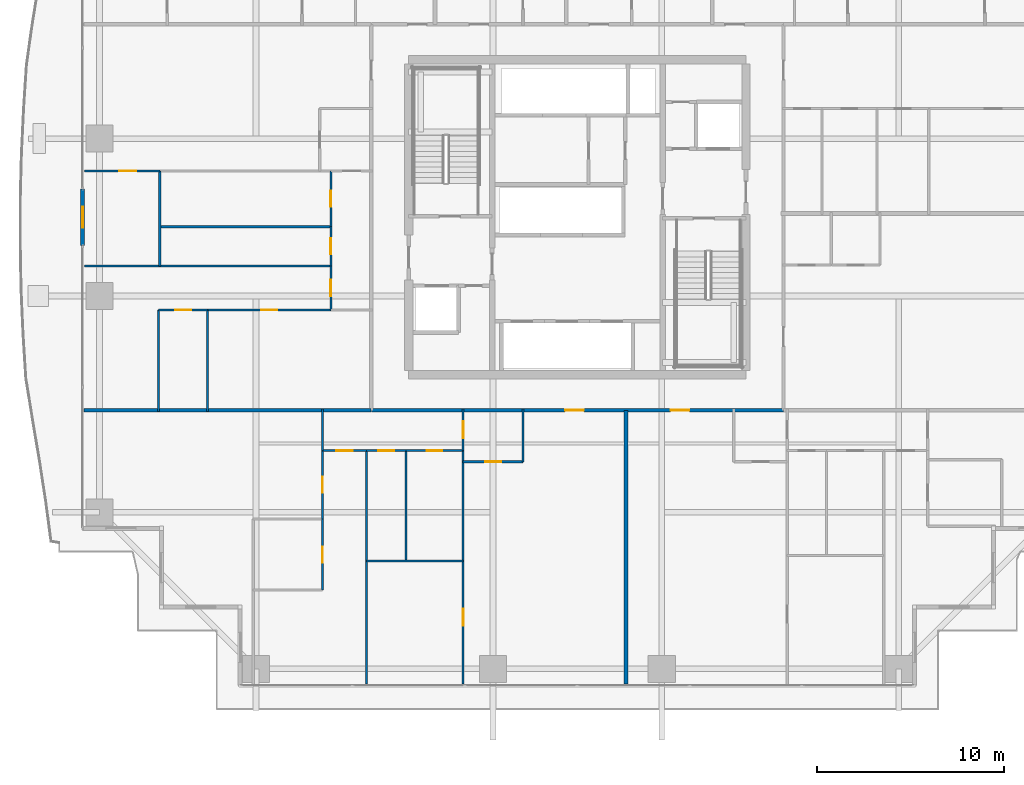
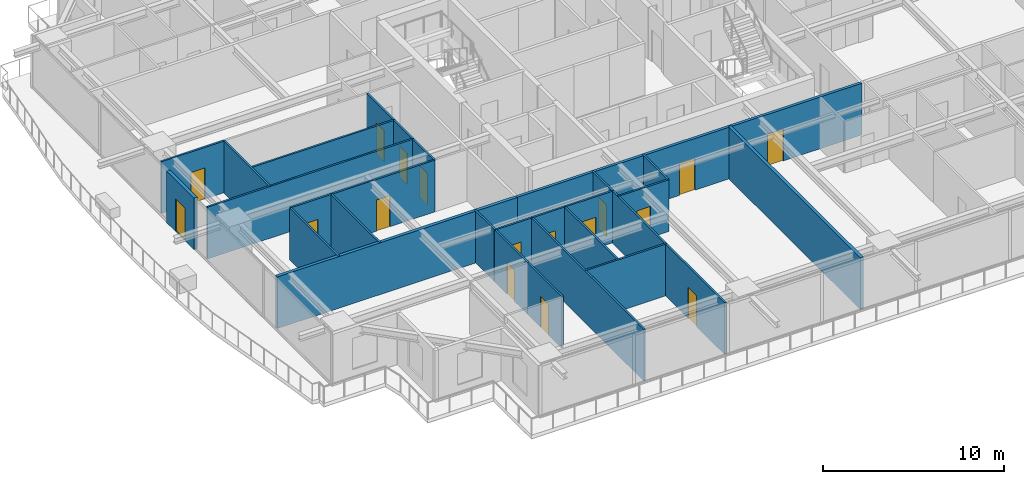
# One storey, part 22 of 34: 29 walls, 17 doors, 17 openings.
"""IFC4 building model written with IfcOpenShell, lengths in metres."""

import ifcopenshell
import ifcopenshell.guid

model = None  # the IFC model being written
_history = None  # IfcOwnerHistory: only IFC2X3 demands one
_inside = {}  # id of a spatial element -> (the spatial element, [elements in it])
_under = {}  # id of a project, library or spatial element -> (it, [spatial elements below it])
_declared = {}  # id of a project -> (the project, [libraries it declares])
_typed = {}  # id of a type object -> (the type object, [elements of that type])
_made_of = {}  # id of a material, layer set ... -> (it, [elements and type objects made of it])


def new_model(schema):
    """Start an empty IFC model of exactly this schema.

    Asked for "IFC4X3", IfcOpenShell would pick the latest addendum, in which some entities
    have other attributes; the version numbers below select the first issue.
    IFC2X3 requires an IfcOwnerHistory on every rooted entity: one is made here for all.
    """
    global model, _history
    if schema == "IFC4X3":
        model = ifcopenshell.file(schema_version=(4, 3, 0, 0))
    else:
        model = ifcopenshell.file(schema=schema)
    _inside.clear()
    _under.clear()
    _declared.clear()
    _typed.clear()
    _made_of.clear()
    _history = None
    if model.schema == "IFC2X3":
        org = make("IfcOrganization", Name="unknown")
        user = make(
            "IfcPersonAndOrganization",
            ThePerson=make("IfcPerson", FamilyName="unknown"),
            TheOrganization=org,
        )
        app = make(
            "IfcApplication",
            ApplicationDeveloper=org,
            Version="unknown",
            ApplicationFullName="unknown",
            ApplicationIdentifier="unknown",
        )
        _history = make(
            "IfcOwnerHistory",
            OwningUser=user,
            OwningApplication=app,
            ChangeAction="ADDED",
            CreationDate=0,
        )
    return model


def make(cls, **values):
    """One entity of the class cls with the attributes given. An attribute that is None is left unset."""
    return model.create_entity(
        cls, **{name: value for name, value in values.items() if value is not None}
    )


def rooted(cls, **values):
    """An entity with a GlobalId (a new one), such as an element, a storey or a relation."""
    return make(cls, GlobalId=ifcopenshell.guid.new(), OwnerHistory=_history, **values)


def si_unit(unit_type, name, prefix=None):
    """IfcSIUnit, for example si_unit("LENGTHUNIT", "METRE", prefix="MILLI")."""
    return make("IfcSIUnit", UnitType=unit_type, Prefix=prefix, Name=name)


def assignment(units):
    """IfcUnitAssignment: the units of a project."""
    return None if units is None else make("IfcUnitAssignment", Units=units)


def point(xyz):
    """IfcCartesianPoint."""
    return None if xyz is None else make("IfcCartesianPoint", Coordinates=xyz)


def direction(xyz):
    """IfcDirection."""
    return None if xyz is None else make("IfcDirection", DirectionRatios=xyz)


def frame(location, z_axis=None, x_axis=None):
    """IfcAxis2Placement3D, a coordinate frame: its origin and axes. An axis left out is left unset."""
    return make(
        "IfcAxis2Placement3D",
        Location=point(location),
        Axis=direction(z_axis),
        RefDirection=direction(x_axis),
    )


def frame_2d(location, x_axis=None):
    """IfcAxis2Placement2D, a coordinate frame in the plane: its origin and x axis."""
    return make(
        "IfcAxis2Placement2D", Location=point(location), RefDirection=direction(x_axis)
    )


def origin():
    """The frame at (0, 0, 0) with its axes left unset."""
    return frame((0.0, 0.0, 0.0))


def place(relative_to, where):
    """IfcLocalPlacement: puts the frame where relative to a parent placement (None: the world)."""
    return make(
        "IfcLocalPlacement", PlacementRelTo=relative_to, RelativePlacement=where
    )


def context(
    kind, dimensions, precision=None, world=None, true_north=None, identifier=None
):
    """IfcGeometricRepresentationContext, for example the 3D "Model" context."""
    return make(
        "IfcGeometricRepresentationContext",
        ContextIdentifier=identifier,
        ContextType=kind,
        CoordinateSpaceDimension=dimensions,
        Precision=precision,
        WorldCoordinateSystem=world,
        TrueNorth=true_north,
    )


def subcontext(parent, identifier, kind, view, scale=None):
    """IfcGeometricRepresentationSubContext, for example "Body" below "Model"."""
    return make(
        "IfcGeometricRepresentationSubContext",
        ContextIdentifier=identifier,
        ContextType=kind,
        ParentContext=parent,
        TargetScale=scale,
        TargetView=view,
    )


def project(units=None, contexts=None):
    """IfcProject with its units and contexts."""
    return rooted(
        "IfcProject",
        Name="project",
        RepresentationContexts=contexts,
        UnitsInContext=assignment(units),
    )


def spatial(cls, under=None, at=None, **own):
    """A site, building, storey or space (cls), placed at a placement, below another one or the project."""
    s = rooted(cls, ObjectPlacement=at, **own)
    if under is not None:
        _under.setdefault(under.id(), (under, []))[1].append(s)
    return s


def profile(cls, at=None, kind="AREA", **sizes):
    """A parametric profile (cls). Its sizes go by their IFC names, for example OverallWidth=200.0."""
    return make(cls, ProfileType=kind, Position=at, **sizes)


def rectangle(**sizes):
    """IfcRectangleProfileDef."""
    return profile("IfcRectangleProfileDef", **sizes)


def extrude(swept, where, along, depth):
    """IfcExtrudedAreaSolid: the profile swept, set in the frame where, extruded along a direction by depth."""
    return make(
        "IfcExtrudedAreaSolid",
        SweptArea=swept,
        Position=where,
        ExtrudedDirection=direction(along),
        Depth=depth,
    )


def shape(context_of_items, identifier, shape_type, items):
    """IfcShapeRepresentation: the items that make up one representation, for example the "Body"."""
    return make(
        "IfcShapeRepresentation",
        ContextOfItems=context_of_items,
        RepresentationIdentifier=identifier,
        RepresentationType=shape_type,
        Items=items,
    )


def source(mapping_origin, context_of_items, identifier, shape_type, items):
    """IfcRepresentationMap: a shape defined once, which mapped items show again and again."""
    return make(
        "IfcRepresentationMap",
        MappingOrigin=mapping_origin,
        MappedRepresentation=shape(context_of_items, identifier, shape_type, items),
    )


def transform(
    local_origin,
    x_axis=None,
    y_axis=None,
    z_axis=None,
    scale=None,
    scale2=None,
    scale3=None,
    uniform=True,
):
    """IfcCartesianTransformationOperator3D, or its non-uniform kind. x_axis, y_axis, z_axis: its Axis1, 2, 3."""
    if uniform:
        return make(
            "IfcCartesianTransformationOperator3D",
            Axis1=direction(x_axis),
            Axis2=direction(y_axis),
            LocalOrigin=point(local_origin),
            Scale=scale,
            Axis3=direction(z_axis),
        )
    return make(
        "IfcCartesianTransformationOperator3DnonUniform",
        Axis1=direction(x_axis),
        Axis2=direction(y_axis),
        LocalOrigin=point(local_origin),
        Scale=scale,
        Axis3=direction(z_axis),
        Scale2=scale2,
        Scale3=scale3,
    )


def mapped(mapping_source, mapping_target):
    """IfcMappedItem: shows the shape of a source again, moved by a transform."""
    return make(
        "IfcMappedItem", MappingSource=mapping_source, MappingTarget=mapping_target
    )


def material(Name=None, Category=None):
    """IfcMaterial."""
    return make("IfcMaterial", Name=Name, Category=Category)


def layer(
    of_material, thickness, ventilated=None, Name=None, Category=None, Priority=None
):
    """IfcMaterialLayer: one layer of a wall or slab, of a material (None: an air gap)."""
    return make(
        "IfcMaterialLayer",
        Material=of_material,
        LayerThickness=thickness,
        IsVentilated=ventilated,
        Name=Name,
        Category=Category,
        Priority=Priority,
    )


def layer_set(layers, Name=None):
    """IfcMaterialLayerSet."""
    return make("IfcMaterialLayerSet", MaterialLayers=layers, LayerSetName=Name)


def made_of(thing, what):
    """Note that an element or type object is made of a material, layer set ...; save() writes the relation."""
    if what is not None:
        _made_of.setdefault(what.id(), (what, []))[1].append(thing)
    return thing


def type_object(cls, material=None, **own):
    """A type object (cls), such as IfcWallType, which elements share."""
    return made_of(rooted(cls, **own), material)


def element(
    cls,
    number,
    at=None,
    inside=None,
    cuts=None,
    type_object=None,
    material=None,
    context=None,
    identifier="Body",
    shape_type=None,
    held_by="IfcProductDefinitionShape",
    body=None,
    shapes=None,
    **own,
):
    """One element of the class cls, such as IfcWall. Its Tag is "e" and its number.

    at: its placement. inside: the storey or other place that contains it. cuts: it is an
    opening in that element (IfcRelVoidsElement). A single representation is given by context,
    identifier, shape_type and body (its items); several are given by shapes. held_by: the class
    of the entity that holds the representations. save() writes the other relations.
    """
    e = rooted(cls, Tag="e%d" % number, ObjectPlacement=at, **own)
    if body is not None:
        shapes = [shape(context, identifier, shape_type, body)]
    if shapes is not None:
        e.Representation = make(held_by, Representations=shapes)
    if inside is not None:
        _inside.setdefault(inside.id(), (inside, []))[1].append(e)
    if cuts is not None:
        rooted(
            "IfcRelVoidsElement", RelatingBuildingElement=cuts, RelatedOpeningElement=e
        )
    if type_object is not None:
        _typed.setdefault(type_object.id(), (type_object, []))[1].append(e)
    return made_of(e, material)


def fill(opening, filler):
    """IfcRelFillsElement: the door or window that sits in an opening."""
    return rooted(
        "IfcRelFillsElement",
        RelatingOpeningElement=opening,
        RelatedBuildingElement=filler,
    )


def aggregate(whole, parts):
    """IfcRelAggregates: a whole, such as a stair, and the parts it consists of."""
    return rooted("IfcRelAggregates", RelatingObject=whole, RelatedObjects=parts)


def save(model, path):
    """Write the relations noted so far, then the file.

    IfcRelAggregates (storeys below a building ...), IfcRelContainedInSpatialStructure (elements
    in a storey), IfcRelDefinesByType, IfcRelAssociatesMaterial and IfcRelDeclares: one each for
    every whole, place, type object, material and project.
    """
    for whole, parts in _under.values():
        aggregate(whole, parts)
    for where, things in _inside.values():
        rooted(
            "IfcRelContainedInSpatialStructure",
            RelatedElements=things,
            RelatingStructure=where,
        )
    for kind, things in _typed.values():
        rooted("IfcRelDefinesByType", RelatedObjects=things, RelatingType=kind)
    for what, things in _made_of.values():
        rooted("IfcRelAssociatesMaterial", RelatedObjects=things, RelatingMaterial=what)
    for by, libraries in _declared.values():
        rooted("IfcRelDeclares", RelatingContext=by, RelatedDefinitions=libraries)
    model.write(path)


model = new_model("IFC4")

# Units and contexts
model_context = context("Model", 3, precision=1e-05, world=origin(), true_north=direction((0.0, 1.0)))
body_context = subcontext(model_context, "Body", "Model", "MODEL_VIEW")
ifc_project = project(units=[si_unit("LENGTHUNIT", "METRE"), si_unit("AREAUNIT", "SQUARE_METRE"), si_unit("VOLUMEUNIT", "CUBIC_METRE"), si_unit("PLANEANGLEUNIT", "RADIAN"), si_unit("MASSUNIT", "GRAM", prefix="KILO")], contexts=[model_context])

# Site, building, storey
site_placement = place(None, origin())
site = spatial("IfcSite", under=ifc_project, at=site_placement, CompositionType="ELEMENT")
building_placement = place(site_placement, origin())
building = spatial("IfcBuilding", under=site, at=building_placement, Name="Serunith Strait Residences", CompositionType="ELEMENT")
storey_placement = place(building_placement, frame((0.0, 0.0, 101.699951171875)))
storey = spatial("IfcBuildingStorey", under=building, at=storey_placement, Name="L25", CompositionType="ELEMENT", Elevation=101.699951171875)

# Wall, opening, door
ifc_material_1 = material(Name="Pale-Champagne Aluminium Insulated Panel", Category="aluminium")
ifc_layer_1 = layer(ifc_material_1, 0.219970703125, Name="Pale-Champagne Aluminium Insulated Panel")
ifc_layer_set_1 = layer_set([ifc_layer_1], Name="Pale-Champagne Aluminium Insulated Panel")
wall_type_1 = type_object("IfcWallType", Name="EW-ALUM-220", PredefinedType="ELEMENTEDWALL", material=ifc_layer_set_1)
wall_1_placement = place(storey_placement, frame((6.0, 26.699951171875, 0.0), z_axis=(0.0, 0.0, 1.0), x_axis=(0.0, -1.0, 0.0)))
wall_1 = element("IfcWall", 1, at=wall_1_placement, inside=storey, type_object=wall_type_1, Name="L25 W Facade Pier Wall", PredefinedType="ELEMENTEDWALL", context=body_context, shape_type="SweptSolid", body=[
    extrude(rectangle(XDim=3.0, YDim=0.219970703125, at=frame_2d((1.5, 0.0))), origin(), (0.0, 0.0, 1.0), 3.47509765625),
])
opening_1_placement = place(wall_1_placement, frame((0.949951171875, 0.0, 0.0)))
opening_1 = element("IfcOpeningElement", 2, at=opening_1_placement, cuts=wall_1, Name="Opening ED-03", PredefinedType="OPENING", context=body_context, shape_type="SweptSolid", body=[
    extrude(rectangle(XDim=1.10009765625, YDim=2.199951171875, at=frame_2d((0.550048828125, 1.10009765625))), frame((0.0, 0.1201171875, 0.0), z_axis=(0.0, -1.0, 0.0), x_axis=(1.0, 0.0, 0.0)), (0.0, 0.0, 1.0), 0.239990234375),
])
ifc_material_2 = material(Name="Thermally-Broken Aluminium Glazed Balcony Door", Category="aluminium")
door_type_1 = type_object("IfcDoorType", Name="ED-BALC-1100", OperationType="NOTDEFINED", PredefinedType="DOOR", material=ifc_material_2)
shared_shape_1 = source(origin(), body_context, "Body", "SweptSolid", [
    extrude(rectangle(XDim=1.10009765625, YDim=2.199951171875, at=frame_2d((0.550048828125, 1.10009765625))), frame((0.0, 0.02490234375, 0.0), z_axis=(0.0, -1.0, 0.0), x_axis=(1.0, 0.0, 0.0)), (0.0, 0.0, 1.0), 0.050048828125),
])
door_1_placement = place(opening_1_placement, origin())
door_1 = element("IfcDoor", 3, at=door_1_placement, inside=storey, type_object=door_type_1, Name="L25 W Vertical-Forest Balcony Door", OperationType="SINGLE_SWING_LEFT", OverallHeight=2.199951171875, OverallWidth=1.10009765625, PredefinedType="DOOR", context=body_context, shape_type="MappedRepresentation", body=[
    mapped(shared_shape_1, transform((0.0, 0.0, 0.0), scale=1.0)),
])
fill(opening_1, door_1)

# Wall, openings, doors
ifc_material_3 = material(Name="Fire-rated acoustic gypsum partition")
ifc_layer_2 = layer(ifc_material_3, 0.179931640625, Name="Fire-rated acoustic gypsum partition")
ifc_layer_set_2 = layer_set([ifc_layer_2], Name="Fire-rated acoustic gypsum partition")
wall_type_2 = type_object("IfcWallType", Name="IW-CORR-180", PredefinedType="PARTITIONING", material=ifc_layer_set_2)
wall_2_placement = place(storey_placement, frame((21.402099609375, 14.89990234375, 0.0), z_axis=(0.0, 0.0, 1.0), x_axis=(1.0, 0.0, 0.0)))
wall_2 = element("IfcWall", 4, at=wall_2_placement, inside=storey, type_object=wall_type_2, Name="L25 Partition Wall 024", PredefinedType="PARTITIONING", context=body_context, shape_type="SweptSolid", body=[
    extrude(rectangle(XDim=21.995849609375, YDim=0.179931640625, at=frame_2d((10.998046875, 0.0))), origin(), (0.0, 0.0, 1.0), 3.489990234375),
])
opening_2_placement = place(wall_2_placement, frame((10.35107421875, 0.0, 0.0)))
opening_2 = element("IfcOpeningElement", 5, at=opening_2_placement, cuts=wall_2, Name="Opening D-APT1000", PredefinedType="OPENING", context=body_context, shape_type="SweptSolid", body=[
    extrude(rectangle(XDim=1.0, YDim=2.14990234375, at=frame_2d((0.5, 1.074951171875))), frame((0.0, 0.10009765625, 0.0), z_axis=(0.0, -1.0, 0.0), x_axis=(1.0, 0.0, 0.0)), (0.0, 0.0, 1.0), 0.199951171875),
])
opening_3_placement = place(wall_2_placement, frame((15.97802734375, 0.0, 0.0)))
opening_3 = element("IfcOpeningElement", 6, at=opening_3_placement, cuts=wall_2, Name="Opening D-APT1000", PredefinedType="OPENING", context=body_context, shape_type="SweptSolid", body=[
    extrude(rectangle(XDim=1.0, YDim=2.14990234375, at=frame_2d((0.5, 1.074951171875))), frame((0.0, 0.10009765625, 0.0), z_axis=(0.0, -1.0, 0.0), x_axis=(1.0, 0.0, 0.0)), (0.0, 0.0, 1.0), 0.199951171875),
])
ifc_material_4 = material(Name="Solid timber engineered fire door", Category="wood")
door_type_2 = type_object("IfcDoorType", Name="ID-APT-1000", OperationType="NOTDEFINED", PredefinedType="DOOR", material=ifc_material_4)
shared_shape_2 = source(origin(), body_context, "Body", "SweptSolid", [
    extrude(rectangle(XDim=1.0, YDim=2.14990234375, at=frame_2d((0.5, 1.074951171875))), frame((0.0, 0.02490234375, 0.0), z_axis=(0.0, -1.0, 0.0), x_axis=(1.0, 0.0, 0.0)), (0.0, 0.0, 1.0), 0.050048828125),
])
door_2_placement = place(opening_2_placement, origin())
door_2 = element("IfcDoor", 7, at=door_2_placement, inside=storey, type_object=door_type_2, Name="L25 Unit 01 Entrance Door", OperationType="SINGLE_SWING_LEFT", OverallHeight=2.14990234375, OverallWidth=1.0, PredefinedType="DOOR", context=body_context, shape_type="MappedRepresentation", body=[
    mapped(shared_shape_2, transform((0.0, 0.0, 0.0), scale=1.0)),
])
fill(opening_2, door_2)
door_3_placement = place(opening_3_placement, origin())
door_3 = element("IfcDoor", 8, at=door_3_placement, inside=storey, type_object=door_type_2, Name="L25 Unit 02 Entrance Door", OperationType="SINGLE_SWING_RIGHT", OverallHeight=2.14990234375, OverallWidth=1.0, PredefinedType="DOOR", context=body_context, shape_type="MappedRepresentation", body=[
    mapped(shared_shape_2, transform((0.0, 0.0, 0.0), scale=1.0)),
])
fill(opening_3, door_3)

# Wall, opening, door
ifc_material_5 = material(Name="Lightweight steel-stud gypsum partition", Category="steel")
ifc_layer_3 = layer(ifc_material_5, 0.1201171875, Name="Lightweight steel-stud gypsum partition")
ifc_layer_set_3 = layer_set([ifc_layer_3], Name="Lightweight steel-stud gypsum partition")
wall_type_3 = type_object("IfcWallType", Name="IW-PART-120", PredefinedType="PARTITIONING", material=ifc_layer_set_3)
wall_3_placement = place(storey_placement, frame((26.300048828125, 12.14990234375, 0.0), z_axis=(0.0, 0.0, 1.0), x_axis=(1.0, 0.0, 0.0)))
wall_3 = element("IfcWall", 9, at=wall_3_placement, inside=storey, type_object=wall_type_3, Name="L25 Partition Wall 028", PredefinedType="PARTITIONING", context=body_context, shape_type="SweptSolid", body=[
    extrude(rectangle(XDim=3.199951171875, YDim=0.1201171875, at=frame_2d((1.60009765625, 0.0))), origin(), (0.0, 0.0, 1.0), 3.489990234375),
])
opening_4_placement = place(wall_3_placement, frame((1.175048828125, 0.0, 0.0)))
opening_4 = element("IfcOpeningElement", 10, at=opening_4_placement, cuts=wall_3, Name="Opening D-RM850", PredefinedType="OPENING", context=body_context, shape_type="SweptSolid", body=[
    extrude(rectangle(XDim=0.85009765625, YDim=2.10009765625, at=frame_2d((0.425048828125, 1.050048828125))), frame((0.0, 0.070068359375, 0.0), z_axis=(0.0, -1.0, 0.0), x_axis=(1.0, 0.0, 0.0)), (0.0, 0.0, 1.0), 0.14013671875),
])
ifc_material_6 = material(Name="Engineered timber flush study and kitchen door", Category="wood")
door_type_3 = type_object("IfcDoorType", Name="ID-ROOM-850", OperationType="NOTDEFINED", PredefinedType="DOOR", material=ifc_material_6)
shared_shape_3 = source(origin(), body_context, "Body", "SweptSolid", [
    extrude(rectangle(XDim=0.85009765625, YDim=2.10009765625, at=frame_2d((0.425048828125, 1.050048828125))), frame((0.0, 0.02490234375, 0.0), z_axis=(0.0, -1.0, 0.0), x_axis=(1.0, 0.0, 0.0)), (0.0, 0.0, 1.0), 0.050048828125),
])
door_4_placement = place(opening_4_placement, origin())
door_4 = element("IfcDoor", 11, at=door_4_placement, inside=storey, type_object=door_type_3, Name="L25 Kitchen 2501 Door", OperationType="SINGLE_SWING_RIGHT", OverallHeight=2.10009765625, OverallWidth=0.85009765625, PredefinedType="DOOR", context=body_context, shape_type="MappedRepresentation", body=[
    mapped(shared_shape_3, transform((0.0, 0.0, 0.0), scale=1.0)),
])
fill(opening_4, door_4)

# Wall
wall_4_placement = place(storey_placement, frame((29.5, 12.14990234375, 0.0), z_axis=(0.0, 0.0, 1.0), x_axis=(0.0, 1.0, 0.0)))
element("IfcWall", 12, at=wall_4_placement, inside=storey, type_object=wall_type_3, Name="L25 Partition Wall 029", PredefinedType="PARTITIONING", context=body_context, shape_type="SweptSolid", body=[
    extrude(rectangle(XDim=2.81005859375, YDim=0.1201171875, at=frame_2d((1.405029296875, 0.0))), origin(), (0.0, 0.0, 1.0), 3.489990234375),
])

# Wall, opening, door
wall_5_placement = place(storey_placement, frame((26.300048828125, 12.75, 0.0), z_axis=(0.0, 0.0, 1.0), x_axis=(0.0, 1.0, 0.0)))
wall_5 = element("IfcWall", 13, at=wall_5_placement, inside=storey, type_object=wall_type_3, Name="L25 Partition Wall 030", PredefinedType="PARTITIONING", context=body_context, shape_type="SweptSolid", body=[
    extrude(rectangle(XDim=2.2099609375, YDim=0.1201171875, at=frame_2d((1.10498046875, 0.0))), origin(), (0.0, 0.0, 1.0), 3.489990234375),
])
opening_5_placement = place(wall_5_placement, frame((0.655029296875, 0.0, 0.0)))
opening_5 = element("IfcOpeningElement", 14, at=opening_5_placement, cuts=wall_5, Name="Opening D-RM900", PredefinedType="OPENING", context=body_context, shape_type="SweptSolid", body=[
    extrude(rectangle(XDim=0.89990234375, YDim=2.10009765625, at=frame_2d((0.449951171875, 1.050048828125))), frame((0.0, 0.070068359375, 0.0), z_axis=(0.0, -1.0, 0.0), x_axis=(1.0, 0.0, 0.0)), (0.0, 0.0, 1.0), 0.14013671875),
])
ifc_material_7 = material(Name="Engineered timber flush bedroom door", Category="wood")
door_type_4 = type_object("IfcDoorType", Name="ID-ROOM-900", OperationType="NOTDEFINED", PredefinedType="DOOR", material=ifc_material_7)
shared_shape_4 = source(origin(), body_context, "Body", "SweptSolid", [
    extrude(rectangle(XDim=0.89990234375, YDim=2.10009765625, at=frame_2d((0.449951171875, 1.050048828125))), frame((0.0, 0.02490234375, 0.0), z_axis=(0.0, -1.0, 0.0), x_axis=(1.0, 0.0, 0.0)), (0.0, 0.0, 1.0), 0.050048828125),
])
door_5_placement = place(opening_5_placement, origin())
door_5 = element("IfcDoor", 15, at=door_5_placement, inside=storey, type_object=door_type_4, Name="L25 Hall W 2501 Door", OperationType="SINGLE_SWING_LEFT", OverallHeight=2.10009765625, OverallWidth=0.89990234375, PredefinedType="DOOR", context=body_context, shape_type="MappedRepresentation", body=[
    mapped(shared_shape_4, transform((0.0, 0.0, 0.0), scale=1.0)),
])
fill(opening_5, door_5)

wall_6_placement = place(storey_placement, frame((26.300048828125, 0.294921875, 0.0), z_axis=(0.0, 0.0, 1.0), x_axis=(0.0, 1.0, 0.0)))
wall_6 = element("IfcWall", 16, at=wall_6_placement, inside=storey, type_object=wall_type_3, Name="L25 Partition Wall 031", PredefinedType="PARTITIONING", context=body_context, shape_type="SweptSolid", body=[
    extrude(rectangle(XDim=6.565185546875, YDim=0.1201171875, at=frame_2d((3.28271484375, 0.0))), origin(), (0.0, 0.0, 1.0), 3.489990234375),
])
opening_6_placement = place(wall_6_placement, frame((3.115966796875, 0.0, 0.0)))
opening_6 = element("IfcOpeningElement", 17, at=opening_6_placement, cuts=wall_6, Name="Opening D-RM900", PredefinedType="OPENING", context=body_context, shape_type="SweptSolid", body=[
    extrude(rectangle(XDim=0.89990234375, YDim=2.10009765625, at=frame_2d((0.449951171875, 1.050048828125))), frame((0.0, 0.070068359375, 0.0), z_axis=(0.0, -1.0, 0.0), x_axis=(1.0, 0.0, 0.0)), (0.0, 0.0, 1.0), 0.14013671875),
])
door_6_placement = place(opening_6_placement, origin())
door_6 = element("IfcDoor", 18, at=door_6_placement, inside=storey, type_object=door_type_4, Name="L25 Formal Dining Room 1 2501 Door", OperationType="SINGLE_SWING_RIGHT", OverallHeight=2.10009765625, OverallWidth=0.89990234375, PredefinedType="DOOR", context=body_context, shape_type="MappedRepresentation", body=[
    mapped(shared_shape_4, transform((0.0, 0.0, 0.0), scale=1.0)),
])
fill(opening_6, door_6)

# Walls
wall_7_placement = place(storey_placement, frame((26.300048828125, 6.862060546875, 0.0), z_axis=(0.0, 0.0, 1.0), x_axis=(0.0, 1.0, 0.0)))
element("IfcWall", 19, at=wall_7_placement, inside=storey, type_object=wall_type_3, Name="L25 Partition Wall 032", PredefinedType="PARTITIONING", context=body_context, shape_type="SweptSolid", body=[
    extrude(rectangle(XDim=5.885986328125, YDim=0.1201171875, at=frame_2d((2.94287109375, 0.0))), origin(), (0.0, 0.0, 1.0), 3.489990234375),
])
wall_8_placement = place(storey_placement, frame((21.14990234375, 6.860107421875, 0.0), z_axis=(0.0, 0.0, 1.0), x_axis=(1.0, 0.0, 0.0)))
element("IfcWall", 20, at=wall_8_placement, inside=storey, type_object=wall_type_3, Name="L25 Partition Wall 033", PredefinedType="PARTITIONING", context=body_context, shape_type="SweptSolid", body=[
    extrude(rectangle(XDim=5.150146484375, YDim=0.1201171875, at=frame_2d((2.5751953125, 0.0))), origin(), (0.0, 0.0, 1.0), 3.489990234375),
])
wall_9_placement = place(storey_placement, frame((21.14990234375, 0.294921875, 0.0), z_axis=(0.0, 0.0, 1.0), x_axis=(0.0, 1.0, 0.0)))
element("IfcWall", 21, at=wall_9_placement, inside=storey, type_object=wall_type_3, Name="L25 Partition Wall 034", PredefinedType="PARTITIONING", context=body_context, shape_type="SweptSolid", body=[
    extrude(rectangle(XDim=12.455078125, YDim=0.1201171875, at=frame_2d((6.2275390625, 0.0))), origin(), (0.0, 0.0, 1.0), 3.489990234375),
])
wall_10_placement = place(storey_placement, frame((23.25, 6.860107421875, 0.0), z_axis=(0.0, 0.0, 1.0), x_axis=(0.0, 1.0, 0.0)))
element("IfcWall", 22, at=wall_10_placement, inside=storey, type_object=wall_type_3, Name="L25 Partition Wall 035", PredefinedType="PARTITIONING", context=body_context, shape_type="SweptSolid", body=[
    extrude(rectangle(XDim=5.889892578125, YDim=0.1201171875, at=frame_2d((2.94482421875, 0.0))), origin(), (0.0, 0.0, 1.0), 3.489990234375),
])

# Wall, opening, door
wall_11_placement = place(storey_placement, frame((21.14990234375, 12.75, 0.0), z_axis=(0.0, 0.0, 1.0), x_axis=(1.0, 0.0, 0.0)))
wall_11 = element("IfcWall", 23, at=wall_11_placement, inside=storey, type_object=wall_type_3, Name="L25 Partition Wall 036", PredefinedType="PARTITIONING", context=body_context, shape_type="SweptSolid", body=[
    extrude(rectangle(XDim=2.10009765625, YDim=0.1201171875, at=frame_2d((1.050048828125, 0.0))), origin(), (0.0, 0.0, 1.0), 3.489990234375),
])
opening_7_placement = place(wall_11_placement, frame((0.625, 0.0, 0.0)))
opening_7 = element("IfcOpeningElement", 24, at=opening_7_placement, cuts=wall_11, Name="Opening D-BTH850", PredefinedType="OPENING", context=body_context, shape_type="SweptSolid", body=[
    extrude(rectangle(XDim=0.85009765625, YDim=2.10009765625, at=frame_2d((0.425048828125, 1.050048828125))), frame((0.0, 0.070068359375, 0.0), z_axis=(0.0, -1.0, 0.0), x_axis=(1.0, 0.0, 0.0)), (0.0, 0.0, 1.0), 0.14013671875),
])
ifc_material_8 = material(Name="Moisture-resistant timber bathroom door", Category="wood")
door_type_5 = type_object("IfcDoorType", Name="ID-BATH-850", OperationType="NOTDEFINED", PredefinedType="DOOR", material=ifc_material_8)
door_7_placement = place(opening_7_placement, origin())
door_7 = element("IfcDoor", 25, at=door_7_placement, inside=storey, type_object=door_type_5, Name="L25 Bathroom 2501 Door", OperationType="SINGLE_SWING_LEFT", OverallHeight=2.10009765625, OverallWidth=0.85009765625, PredefinedType="DOOR", context=body_context, shape_type="MappedRepresentation", body=[
    mapped(shared_shape_3, transform((0.0, 0.0, 0.0), scale=1.0)),
])
fill(opening_7, door_7)

wall_12_placement = place(storey_placement, frame((23.251953125, 12.75, 0.0), z_axis=(0.0, 0.0, 1.0), x_axis=(1.0, 0.0, 0.0)))
wall_12 = element("IfcWall", 26, at=wall_12_placement, inside=storey, type_object=wall_type_3, Name="L25 Partition Wall 037", PredefinedType="PARTITIONING", context=body_context, shape_type="SweptSolid", body=[
    extrude(rectangle(XDim=3.048095703125, YDim=0.1201171875, at=frame_2d((1.52392578125, 0.0))), origin(), (0.0, 0.0, 1.0), 3.489990234375),
])
opening_8_placement = place(wall_12_placement, frame((1.09912109375, 0.0, 0.0)))
opening_8 = element("IfcOpeningElement", 27, at=opening_8_placement, cuts=wall_12, Name="Opening D-RM850", PredefinedType="OPENING", context=body_context, shape_type="SweptSolid", body=[
    extrude(rectangle(XDim=0.85009765625, YDim=2.10009765625, at=frame_2d((0.425048828125, 1.050048828125))), frame((0.0, 0.070068359375, 0.0), z_axis=(0.0, -1.0, 0.0), x_axis=(1.0, 0.0, 0.0)), (0.0, 0.0, 1.0), 0.14013671875),
])
door_8_placement = place(opening_8_placement, origin())
door_8 = element("IfcDoor", 28, at=door_8_placement, inside=storey, type_object=door_type_3, Name="L25 Formal Dining Room 2501 Door", OperationType="SINGLE_SWING_RIGHT", OverallHeight=2.10009765625, OverallWidth=0.85009765625, PredefinedType="DOOR", context=body_context, shape_type="MappedRepresentation", body=[
    mapped(shared_shape_3, transform((0.0, 0.0, 0.0), scale=1.0)),
])
fill(opening_8, door_8)

wall_13_placement = place(storey_placement, frame((18.800048828125, 12.75, 0.0), z_axis=(0.0, 0.0, 1.0), x_axis=(1.0, 0.0, 0.0)))
wall_13 = element("IfcWall", 29, at=wall_13_placement, inside=storey, type_object=wall_type_3, Name="L25 Partition Wall 038", PredefinedType="PARTITIONING", context=body_context, shape_type="SweptSolid", body=[
    extrude(rectangle(XDim=2.347900390625, YDim=0.1201171875, at=frame_2d((1.173828125, 0.0))), origin(), (0.0, 0.0, 1.0), 3.489990234375),
])
opening_9_placement = place(wall_13_placement, frame((0.72412109375, 0.0, 0.0)))
opening_9 = element("IfcOpeningElement", 30, at=opening_9_placement, cuts=wall_13, Name="Opening D-RM900", PredefinedType="OPENING", context=body_context, shape_type="SweptSolid", body=[
    extrude(rectangle(XDim=0.89990234375, YDim=2.10009765625, at=frame_2d((0.449951171875, 1.050048828125))), frame((0.0, 0.070068359375, 0.0), z_axis=(0.0, -1.0, 0.0), x_axis=(1.0, 0.0, 0.0)), (0.0, 0.0, 1.0), 0.14013671875),
])
door_9_placement = place(opening_9_placement, origin())
door_9 = element("IfcDoor", 31, at=door_9_placement, inside=storey, type_object=door_type_4, Name="L25 Master Bedroom W 2501 Door", OperationType="SINGLE_SWING_LEFT", OverallHeight=2.10009765625, OverallWidth=0.89990234375, PredefinedType="DOOR", context=body_context, shape_type="MappedRepresentation", body=[
    mapped(shared_shape_4, transform((0.0, 0.0, 0.0), scale=1.0)),
])
fill(opening_9, door_9)

wall_14_placement = place(storey_placement, frame((18.800048828125, 5.30908203125, 0.0), z_axis=(0.0, 0.0, 1.0), x_axis=(0.0, 1.0, 0.0)))
wall_14 = element("IfcWall", 32, at=wall_14_placement, inside=storey, type_object=wall_type_3, Name="L25 Partition Wall 042", PredefinedType="PARTITIONING", context=body_context, shape_type="SweptSolid", body=[
    extrude(rectangle(XDim=3.783935546875, YDim=0.1201171875, at=frame_2d((1.89208984375, 0.0))), origin(), (0.0, 0.0, 1.0), 3.489990234375),
])
opening_10_placement = place(wall_14_placement, frame((1.467041015625, 0.0, 0.0)))
opening_10 = element("IfcOpeningElement", 33, at=opening_10_placement, cuts=wall_14, Name="Opening D-BTH850", PredefinedType="OPENING", context=body_context, shape_type="SweptSolid", body=[
    extrude(rectangle(XDim=0.85009765625, YDim=2.10009765625, at=frame_2d((0.425048828125, 1.050048828125))), frame((0.0, 0.070068359375, 0.0), z_axis=(0.0, -1.0, 0.0), x_axis=(1.0, 0.0, 0.0)), (0.0, 0.0, 1.0), 0.14013671875),
])
door_10_placement = place(opening_10_placement, origin())
door_10 = element("IfcDoor", 34, at=door_10_placement, inside=storey, type_object=door_type_5, Name="L25 En-suite Bathroom W 2501 Door", OperationType="SINGLE_SWING_RIGHT", OverallHeight=2.10009765625, OverallWidth=0.85009765625, PredefinedType="DOOR", context=body_context, shape_type="MappedRepresentation", body=[
    mapped(shared_shape_3, transform((0.0, 0.0, 0.0), scale=1.0)),
])
fill(opening_10, door_10)

wall_15_placement = place(storey_placement, frame((18.800048828125, 9.094970703125, 0.0), z_axis=(0.0, 0.0, 1.0), x_axis=(0.0, 1.0, 0.0)))
wall_15 = element("IfcWall", 35, at=wall_15_placement, inside=storey, type_object=wall_type_3, Name="L25 Partition Wall 043", PredefinedType="PARTITIONING", context=body_context, shape_type="SweptSolid", body=[
    extrude(rectangle(XDim=3.655029296875, YDim=0.1201171875, at=frame_2d((1.82763671875, 0.0))), origin(), (0.0, 0.0, 1.0), 3.489990234375),
])
opening_11_placement = place(wall_15_placement, frame((1.402099609375, 0.0, 0.0)))
opening_11 = element("IfcOpeningElement", 36, at=opening_11_placement, cuts=wall_15, Name="Opening D-RM850", PredefinedType="OPENING", context=body_context, shape_type="SweptSolid", body=[
    extrude(rectangle(XDim=0.85009765625, YDim=2.10009765625, at=frame_2d((0.425048828125, 1.050048828125))), frame((0.0, 0.070068359375, 0.0), z_axis=(0.0, -1.0, 0.0), x_axis=(1.0, 0.0, 0.0)), (0.0, 0.0, 1.0), 0.14013671875),
])
door_11_placement = place(opening_11_placement, origin())
door_11 = element("IfcDoor", 37, at=door_11_placement, inside=storey, type_object=door_type_3, Name="L25 Wardrobe W 2501 Door", OperationType="SINGLE_SWING_LEFT", OverallHeight=2.10009765625, OverallWidth=0.85009765625, PredefinedType="DOOR", context=body_context, shape_type="MappedRepresentation", body=[
    mapped(shared_shape_3, transform((0.0, 0.0, 0.0), scale=1.0)),
])
fill(opening_11, door_11)

# Wall
wall_16_placement = place(storey_placement, frame((18.800048828125, 12.751953125, 0.0), z_axis=(0.0, 0.0, 1.0), x_axis=(0.0, 1.0, 0.0)))
element("IfcWall", 38, at=wall_16_placement, inside=storey, type_object=wall_type_3, Name="L25 Partition Wall 044", PredefinedType="PARTITIONING", context=body_context, shape_type="SweptSolid", body=[
    extrude(rectangle(XDim=2.2080078125, YDim=0.1201171875, at=frame_2d((1.10400390625, 0.0))), origin(), (0.0, 0.0, 1.0), 3.489990234375),
])

# Wall, opening, door
wall_17_placement = place(storey_placement, frame((6.094970703125, 27.669921875, 0.0), z_axis=(0.0, 0.0, 1.0), x_axis=(1.0, 0.0, 0.0)))
wall_17 = element("IfcWall", 39, at=wall_17_placement, inside=storey, type_object=wall_type_3, Name="L25 Partition Wall 103", PredefinedType="PARTITIONING", context=body_context, shape_type="SweptSolid", body=[
    extrude(rectangle(XDim=4.02392578125, YDim=0.1201171875, at=frame_2d((2.011962890625, 0.0))), origin(), (0.0, 0.0, 1.0), 3.489990234375),
])
opening_12_placement = place(wall_17_placement, frame((1.85791015625, 0.0, 0.0)))
opening_12 = element("IfcOpeningElement", 40, at=opening_12_placement, cuts=wall_17, Name="Opening D-RM900", PredefinedType="OPENING", context=body_context, shape_type="SweptSolid", body=[
    extrude(rectangle(XDim=0.89990234375, YDim=2.10009765625, at=frame_2d((0.449951171875, 1.050048828125))), frame((0.0, 0.070068359375, 0.0), z_axis=(0.0, -1.0, 0.0), x_axis=(1.0, 0.0, 0.0)), (0.0, 0.0, 1.0), 0.14013671875),
])
door_12_placement = place(opening_12_placement, origin())
door_12 = element("IfcDoor", 41, at=door_12_placement, inside=storey, type_object=door_type_4, Name="L25 Study 1 2507 Door", OperationType="SINGLE_SWING_RIGHT", OverallHeight=2.10009765625, OverallWidth=0.89990234375, PredefinedType="DOOR", context=body_context, shape_type="MappedRepresentation", body=[
    mapped(shared_shape_4, transform((0.0, 0.0, 0.0), scale=1.0)),
])
fill(opening_12, door_12)

# Walls
wall_18_placement = place(storey_placement, frame((10.118896484375, 22.60009765625, 0.0), z_axis=(0.0, 0.0, 1.0), x_axis=(0.0, 1.0, 0.0)))
element("IfcWall", 42, at=wall_18_placement, inside=storey, type_object=wall_type_3, Name="L25 Partition Wall 105", PredefinedType="PARTITIONING", context=body_context, shape_type="SweptSolid", body=[
    extrude(rectangle(XDim=5.06982421875, YDim=0.1201171875, at=frame_2d((2.534912109375, 0.0))), origin(), (0.0, 0.0, 1.0), 3.489990234375),
])
wall_19_placement = place(storey_placement, frame((6.094970703125, 22.60009765625, 0.0), z_axis=(0.0, 0.0, 1.0), x_axis=(1.0, 0.0, 0.0)))
element("IfcWall", 43, at=wall_19_placement, inside=storey, type_object=wall_type_3, Name="L25 Partition Wall 106", PredefinedType="PARTITIONING", context=body_context, shape_type="SweptSolid", body=[
    extrude(rectangle(XDim=13.155029296875, YDim=0.1201171875, at=frame_2d((6.57763671875, 0.0))), origin(), (0.0, 0.0, 1.0), 3.489990234375),
])
wall_20_placement = place(storey_placement, frame((10.118896484375, 24.699951171875, 0.0), z_axis=(0.0, 0.0, 1.0), x_axis=(1.0, 0.0, 0.0)))
element("IfcWall", 44, at=wall_20_placement, inside=storey, type_object=wall_type_3, Name="L25 Partition Wall 107", PredefinedType="PARTITIONING", context=body_context, shape_type="SweptSolid", body=[
    extrude(rectangle(XDim=9.131103515625, YDim=0.1201171875, at=frame_2d((4.5654296875, 0.0))), origin(), (0.0, 0.0, 1.0), 3.489990234375),
])

# Wall, opening, door
wall_21_placement = place(storey_placement, frame((19.25, 22.60009765625, 0.0), z_axis=(0.0, 0.0, 1.0), x_axis=(0.0, 1.0, 0.0)))
wall_21 = element("IfcWall", 45, at=wall_21_placement, inside=storey, type_object=wall_type_3, Name="L25 Partition Wall 108", PredefinedType="PARTITIONING", context=body_context, shape_type="SweptSolid", body=[
    extrude(rectangle(XDim=2.099853515625, YDim=0.1201171875, at=frame_2d((1.0498046875, 0.0))), origin(), (0.0, 0.0, 1.0), 3.489990234375),
])
opening_13_placement = place(wall_21_placement, frame((0.625, 0.0, 0.0)))
opening_13 = element("IfcOpeningElement", 46, at=opening_13_placement, cuts=wall_21, Name="Opening D-BTH850", PredefinedType="OPENING", context=body_context, shape_type="SweptSolid", body=[
    extrude(rectangle(XDim=0.85009765625, YDim=2.10009765625, at=frame_2d((0.425048828125, 1.050048828125))), frame((0.0, 0.070068359375, 0.0), z_axis=(0.0, -1.0, 0.0), x_axis=(1.0, 0.0, 0.0)), (0.0, 0.0, 1.0), 0.14013671875),
])
door_13_placement = place(opening_13_placement, origin())
door_13 = element("IfcDoor", 47, at=door_13_placement, inside=storey, type_object=door_type_5, Name="L25 Bathroom 2507 Door", OperationType="SINGLE_SWING_LEFT", OverallHeight=2.10009765625, OverallWidth=0.85009765625, PredefinedType="DOOR", context=body_context, shape_type="MappedRepresentation", body=[
    mapped(shared_shape_3, transform((0.0, 0.0, 0.0), scale=1.0)),
])
fill(opening_13, door_13)

wall_22_placement = place(storey_placement, frame((19.25, 24.701904296875, 0.0), z_axis=(0.0, 0.0, 1.0), x_axis=(0.0, 1.0, 0.0)))
wall_22 = element("IfcWall", 48, at=wall_22_placement, inside=storey, type_object=wall_type_3, Name="L25 Partition Wall 109", PredefinedType="PARTITIONING", context=body_context, shape_type="SweptSolid", body=[
    extrude(rectangle(XDim=2.968017578125, YDim=0.1201171875, at=frame_2d((1.48388671875, 0.0))), origin(), (0.0, 0.0, 1.0), 3.489990234375),
])
opening_14_placement = place(wall_22_placement, frame((1.05908203125, 0.0, 0.0)))
opening_14 = element("IfcOpeningElement", 49, at=opening_14_placement, cuts=wall_22, Name="Opening D-RM850", PredefinedType="OPENING", context=body_context, shape_type="SweptSolid", body=[
    extrude(rectangle(XDim=0.85009765625, YDim=2.10009765625, at=frame_2d((0.425048828125, 1.050048828125))), frame((0.0, 0.070068359375, 0.0), z_axis=(0.0, -1.0, 0.0), x_axis=(1.0, 0.0, 0.0)), (0.0, 0.0, 1.0), 0.14013671875),
])
door_14_placement = place(opening_14_placement, origin())
door_14 = element("IfcDoor", 50, at=door_14_placement, inside=storey, type_object=door_type_3, Name="L25 Study 2507 Door", OperationType="SINGLE_SWING_RIGHT", OverallHeight=2.10009765625, OverallWidth=0.85009765625, PredefinedType="DOOR", context=body_context, shape_type="MappedRepresentation", body=[
    mapped(shared_shape_3, transform((0.0, 0.0, 0.0), scale=1.0)),
])
fill(opening_14, door_14)

wall_23_placement = place(storey_placement, frame((19.25, 20.25, 0.0), z_axis=(0.0, 0.0, 1.0), x_axis=(0.0, 1.0, 0.0)))
wall_23 = element("IfcWall", 51, at=wall_23_placement, inside=storey, type_object=wall_type_3, Name="L25 Partition Wall 110", PredefinedType="PARTITIONING", context=body_context, shape_type="SweptSolid", body=[
    extrude(rectangle(XDim=2.347900390625, YDim=0.1201171875, at=frame_2d((1.173828125, 0.0))), origin(), (0.0, 0.0, 1.0), 3.489990234375),
])
opening_15_placement = place(wall_23_placement, frame((0.72412109375, 0.0, 0.0)))
opening_15 = element("IfcOpeningElement", 52, at=opening_15_placement, cuts=wall_23, Name="Opening D-RM900", PredefinedType="OPENING", context=body_context, shape_type="SweptSolid", body=[
    extrude(rectangle(XDim=0.89990234375, YDim=2.10009765625, at=frame_2d((0.449951171875, 1.050048828125))), frame((0.0, 0.070068359375, 0.0), z_axis=(0.0, -1.0, 0.0), x_axis=(1.0, 0.0, 0.0)), (0.0, 0.0, 1.0), 0.14013671875),
])
door_15_placement = place(opening_15_placement, origin())
door_15 = element("IfcDoor", 53, at=door_15_placement, inside=storey, type_object=door_type_4, Name="L25 Master Bedroom W 2507 Door", OperationType="SINGLE_SWING_LEFT", OverallHeight=2.10009765625, OverallWidth=0.89990234375, PredefinedType="DOOR", context=body_context, shape_type="MappedRepresentation", body=[
    mapped(shared_shape_4, transform((0.0, 0.0, 0.0), scale=1.0)),
])
fill(opening_15, door_15)

# Walls
for number, where, z_axis, x_axis, name in (
    (54, (10.050048828125, 14.840087890625, 0.0), (0.0, 0.0, 1.0), (0.0, 1.0, 0.0), "L25 Partition Wall 111"),
    (55, (12.6669921875, 14.840087890625, 0.0), (0.0, 0.0, 1.0), (0.0, 1.0, 0.0), "L25 Partition Wall 112"),
):
    element("IfcWall", number, at=place(storey_placement, frame(where, z_axis=z_axis, x_axis=x_axis)), inside=storey, type_object=wall_type_3, Name=name, PredefinedType="PARTITIONING", context=body_context, shape_type="SweptSolid", body=[
        extrude(rectangle(XDim=5.409912109375, YDim=0.1201171875, at=frame_2d((2.705078125, 0.0))), origin(), (0.0, 0.0, 1.0), 3.489990234375),
    ])

# Wall, opening, door
wall_24_placement = place(storey_placement, frame((10.050048828125, 20.25, 0.0), z_axis=(0.0, 0.0, 1.0), x_axis=(1.0, 0.0, 0.0)))
wall_24 = element("IfcWall", 56, at=wall_24_placement, inside=storey, type_object=wall_type_3, Name="L25 Partition Wall 113", PredefinedType="PARTITIONING", context=body_context, shape_type="SweptSolid", body=[
    extrude(rectangle(XDim=2.616943359375, YDim=0.1201171875, at=frame_2d((1.30859375, 0.0))), origin(), (0.0, 0.0, 1.0), 3.489990234375),
])
opening_16_placement = place(wall_24_placement, frame((0.883056640625, 0.0, 0.0)))
opening_16 = element("IfcOpeningElement", 57, at=opening_16_placement, cuts=wall_24, Name="Opening D-BTH850", PredefinedType="OPENING", context=body_context, shape_type="SweptSolid", body=[
    extrude(rectangle(XDim=0.85009765625, YDim=2.10009765625, at=frame_2d((0.425048828125, 1.050048828125))), frame((0.0, 0.070068359375, 0.0), z_axis=(0.0, -1.0, 0.0), x_axis=(1.0, 0.0, 0.0)), (0.0, 0.0, 1.0), 0.14013671875),
])
door_16_placement = place(opening_16_placement, origin())
door_16 = element("IfcDoor", 58, at=door_16_placement, inside=storey, type_object=door_type_5, Name="L25 En-suite Bathroom W 2507 Door", OperationType="SINGLE_SWING_RIGHT", OverallHeight=2.10009765625, OverallWidth=0.85009765625, PredefinedType="DOOR", context=body_context, shape_type="MappedRepresentation", body=[
    mapped(shared_shape_3, transform((0.0, 0.0, 0.0), scale=1.0)),
])
fill(opening_16, door_16)

wall_25_placement = place(storey_placement, frame((12.6689453125, 20.25, 0.0), z_axis=(0.0, 0.0, 1.0), x_axis=(1.0, 0.0, 0.0)))
wall_25 = element("IfcWall", 59, at=wall_25_placement, inside=storey, type_object=wall_type_3, Name="L25 Partition Wall 114", PredefinedType="PARTITIONING", context=body_context, shape_type="SweptSolid", body=[
    extrude(rectangle(XDim=6.5810546875, YDim=0.1201171875, at=frame_2d((3.29052734375, 0.0))), origin(), (0.0, 0.0, 1.0), 3.489990234375),
])
opening_17_placement = place(wall_25_placement, frame((2.864990234375, 0.0, 0.0)))
opening_17 = element("IfcOpeningElement", 60, at=opening_17_placement, cuts=wall_25, Name="Opening D-RM850", PredefinedType="OPENING", context=body_context, shape_type="SweptSolid", body=[
    extrude(rectangle(XDim=0.85009765625, YDim=2.10009765625, at=frame_2d((0.425048828125, 1.050048828125))), frame((0.0, 0.070068359375, 0.0), z_axis=(0.0, -1.0, 0.0), x_axis=(1.0, 0.0, 0.0)), (0.0, 0.0, 1.0), 0.14013671875),
])
door_17_placement = place(opening_17_placement, origin())
door_17 = element("IfcDoor", 61, at=door_17_placement, inside=storey, type_object=door_type_3, Name="L25 Wardrobe W 2507 Door", OperationType="SINGLE_SWING_LEFT", OverallHeight=2.10009765625, OverallWidth=0.85009765625, PredefinedType="DOOR", context=body_context, shape_type="MappedRepresentation", body=[
    mapped(shared_shape_3, transform((0.0, 0.0, 0.0), scale=1.0)),
])
fill(opening_17, door_17)

# Walls
ifc_material_9 = material(Name="Twin-stud acoustic gypsum board partition")
ifc_layer_4 = layer(ifc_material_9, 0.199951171875, Name="Twin-stud acoustic gypsum board partition")
ifc_layer_set_4 = layer_set([ifc_layer_4], Name="Twin-stud acoustic gypsum board partition")
wall_type_4 = type_object("IfcWallType", Name="IW-PARTY-200", PredefinedType="PARTITIONING", material=ifc_layer_set_4)
wall_26_placement = place(storey_placement, frame((35.0, 0.281982421875, 0.0), z_axis=(0.0, 0.0, 1.0), x_axis=(0.0, 1.0, 0.0)))
element("IfcWall", 62, at=wall_26_placement, inside=storey, type_object=wall_type_4, Name="L25 Partition Wall 015", PredefinedType="PARTITIONING", context=body_context, shape_type="SweptSolid", body=[
    extrude(rectangle(XDim=14.617919921875, YDim=0.199951171875, at=frame_2d((7.30908203125, 0.0))), origin(), (0.0, 0.0, 1.0), 3.489990234375),
])
wall_27_placement = place(storey_placement, frame((6.08203125, 14.89990234375, 0.0), z_axis=(0.0, 0.0, 1.0), x_axis=(1.0, 0.0, 0.0)))
element("IfcWall", 63, at=wall_27_placement, inside=storey, type_object=wall_type_4, Name="L25 Partition Wall 020", PredefinedType="PARTITIONING", context=body_context, shape_type="SweptSolid", body=[
    extrude(rectangle(XDim=15.31787109375, YDim=0.199951171875, at=frame_2d((7.658935546875, 0.0))), origin(), (0.0, 0.0, 1.0), 3.489990234375),
])

save(model, "model.ifc")
